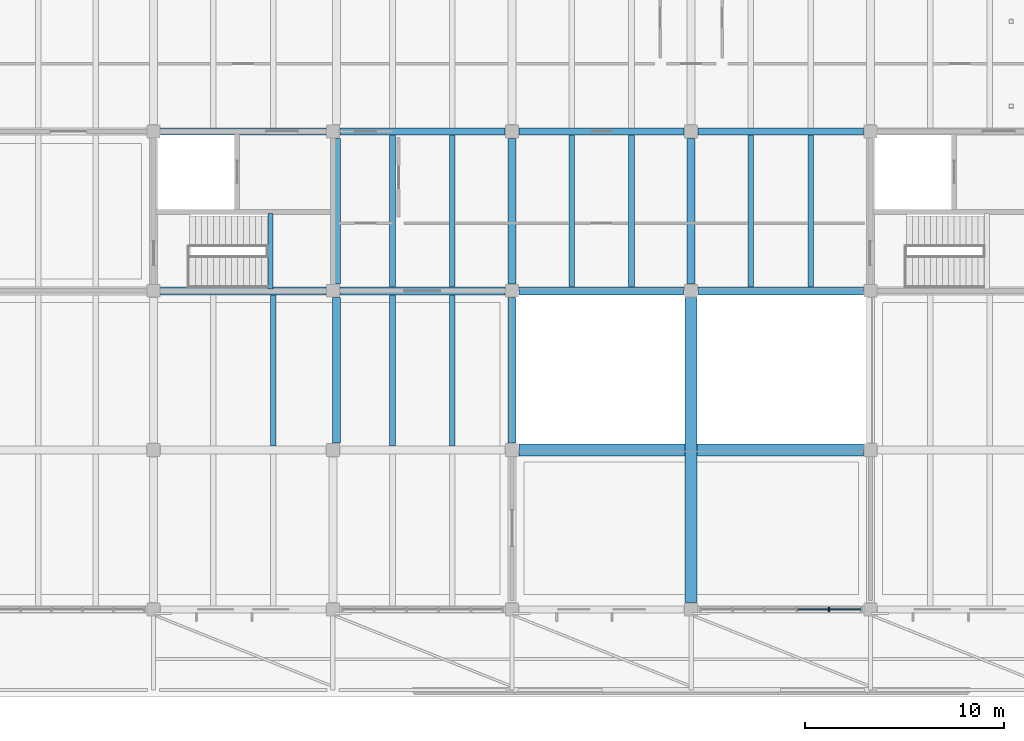
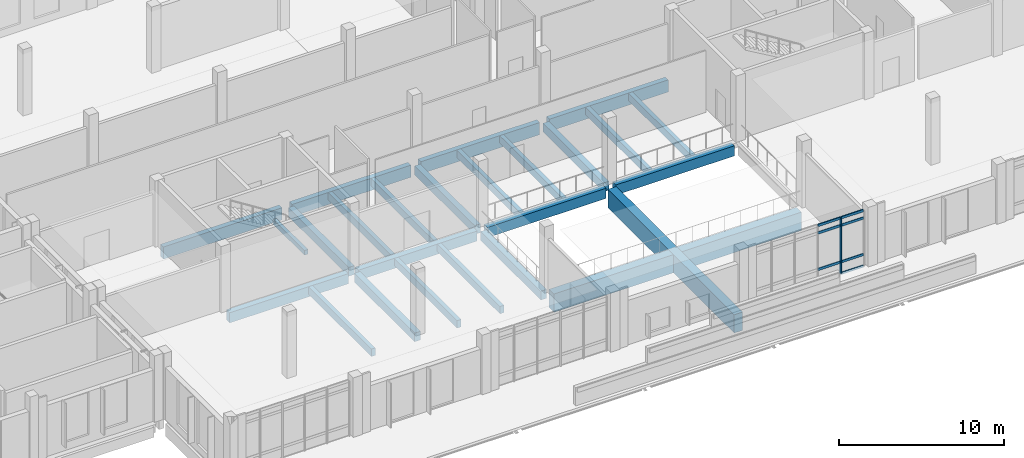
# One storey, part 30 of 110: 25 beams, 8 members, 1 element without a shape of its own.
"""IFC4 building model written with IfcOpenShell, lengths in metres."""

import ifcopenshell
import ifcopenshell.guid

model = None  # the IFC model being written
_history = None  # IfcOwnerHistory: only IFC2X3 demands one
_inside = {}  # id of a spatial element -> (the spatial element, [elements in it])
_under = {}  # id of a project, library or spatial element -> (it, [spatial elements below it])
_declared = {}  # id of a project -> (the project, [libraries it declares])
_typed = {}  # id of a type object -> (the type object, [elements of that type])
_made_of = {}  # id of a material, layer set ... -> (it, [elements and type objects made of it])


def new_model(schema):
    """Start an empty IFC model of exactly this schema.

    Asked for "IFC4X3", IfcOpenShell would pick the latest addendum, in which some entities
    have other attributes; the version numbers below select the first issue.
    IFC2X3 requires an IfcOwnerHistory on every rooted entity: one is made here for all.
    """
    global model, _history
    if schema == "IFC4X3":
        model = ifcopenshell.file(schema_version=(4, 3, 0, 0))
    else:
        model = ifcopenshell.file(schema=schema)
    _inside.clear()
    _under.clear()
    _declared.clear()
    _typed.clear()
    _made_of.clear()
    _history = None
    if model.schema == "IFC2X3":
        org = make("IfcOrganization", Name="unknown")
        user = make(
            "IfcPersonAndOrganization",
            ThePerson=make("IfcPerson", FamilyName="unknown"),
            TheOrganization=org,
        )
        app = make(
            "IfcApplication",
            ApplicationDeveloper=org,
            Version="unknown",
            ApplicationFullName="unknown",
            ApplicationIdentifier="unknown",
        )
        _history = make(
            "IfcOwnerHistory",
            OwningUser=user,
            OwningApplication=app,
            ChangeAction="ADDED",
            CreationDate=0,
        )
    return model


def make(cls, **values):
    """One entity of the class cls with the attributes given. An attribute that is None is left unset."""
    return model.create_entity(
        cls, **{name: value for name, value in values.items() if value is not None}
    )


def rooted(cls, **values):
    """An entity with a GlobalId (a new one), such as an element, a storey or a relation."""
    return make(cls, GlobalId=ifcopenshell.guid.new(), OwnerHistory=_history, **values)


def si_unit(unit_type, name, prefix=None):
    """IfcSIUnit, for example si_unit("LENGTHUNIT", "METRE", prefix="MILLI")."""
    return make("IfcSIUnit", UnitType=unit_type, Prefix=prefix, Name=name)


def assignment(units):
    """IfcUnitAssignment: the units of a project."""
    return None if units is None else make("IfcUnitAssignment", Units=units)


def point(xyz):
    """IfcCartesianPoint."""
    return None if xyz is None else make("IfcCartesianPoint", Coordinates=xyz)


def direction(xyz):
    """IfcDirection."""
    return None if xyz is None else make("IfcDirection", DirectionRatios=xyz)


def frame(location, z_axis=None, x_axis=None):
    """IfcAxis2Placement3D, a coordinate frame: its origin and axes. An axis left out is left unset."""
    return make(
        "IfcAxis2Placement3D",
        Location=point(location),
        Axis=direction(z_axis),
        RefDirection=direction(x_axis),
    )


def frame_2d(location, x_axis=None):
    """IfcAxis2Placement2D, a coordinate frame in the plane: its origin and x axis."""
    return make(
        "IfcAxis2Placement2D", Location=point(location), RefDirection=direction(x_axis)
    )


def origin():
    """The frame at (0, 0, 0) with its axes left unset."""
    return frame((0.0, 0.0, 0.0))


def origin_2d():
    """The frame at (0, 0) in the plane with its x axis left unset."""
    return frame_2d((0.0, 0.0))


def place(relative_to, where):
    """IfcLocalPlacement: puts the frame where relative to a parent placement (None: the world)."""
    return make(
        "IfcLocalPlacement", PlacementRelTo=relative_to, RelativePlacement=where
    )


def context(
    kind, dimensions, precision=None, world=None, true_north=None, identifier=None
):
    """IfcGeometricRepresentationContext, for example the 3D "Model" context."""
    return make(
        "IfcGeometricRepresentationContext",
        ContextIdentifier=identifier,
        ContextType=kind,
        CoordinateSpaceDimension=dimensions,
        Precision=precision,
        WorldCoordinateSystem=world,
        TrueNorth=true_north,
    )


def subcontext(parent, identifier, kind, view, scale=None):
    """IfcGeometricRepresentationSubContext, for example "Body" below "Model"."""
    return make(
        "IfcGeometricRepresentationSubContext",
        ContextIdentifier=identifier,
        ContextType=kind,
        ParentContext=parent,
        TargetScale=scale,
        TargetView=view,
    )


def project(units=None, contexts=None):
    """IfcProject with its units and contexts."""
    return rooted(
        "IfcProject",
        Name="project",
        RepresentationContexts=contexts,
        UnitsInContext=assignment(units),
    )


def spatial(cls, under=None, at=None, **own):
    """A site, building, storey or space (cls), placed at a placement, below another one or the project."""
    s = rooted(cls, ObjectPlacement=at, **own)
    if under is not None:
        _under.setdefault(under.id(), (under, []))[1].append(s)
    return s


def profile(cls, at=None, kind="AREA", **sizes):
    """A parametric profile (cls). Its sizes go by their IFC names, for example OverallWidth=200.0."""
    return make(cls, ProfileType=kind, Position=at, **sizes)


def rectangle(**sizes):
    """IfcRectangleProfileDef."""
    return profile("IfcRectangleProfileDef", **sizes)


def extrude(swept, where, along, depth):
    """IfcExtrudedAreaSolid: the profile swept, set in the frame where, extruded along a direction by depth."""
    return make(
        "IfcExtrudedAreaSolid",
        SweptArea=swept,
        Position=where,
        ExtrudedDirection=direction(along),
        Depth=depth,
    )


def shape(context_of_items, identifier, shape_type, items):
    """IfcShapeRepresentation: the items that make up one representation, for example the "Body"."""
    return make(
        "IfcShapeRepresentation",
        ContextOfItems=context_of_items,
        RepresentationIdentifier=identifier,
        RepresentationType=shape_type,
        Items=items,
    )


def material(Name=None, Category=None):
    """IfcMaterial."""
    return make("IfcMaterial", Name=Name, Category=Category)


def layer(
    of_material, thickness, ventilated=None, Name=None, Category=None, Priority=None
):
    """IfcMaterialLayer: one layer of a wall or slab, of a material (None: an air gap)."""
    return make(
        "IfcMaterialLayer",
        Material=of_material,
        LayerThickness=thickness,
        IsVentilated=ventilated,
        Name=Name,
        Category=Category,
        Priority=Priority,
    )


def layer_set(layers, Name=None):
    """IfcMaterialLayerSet."""
    return make("IfcMaterialLayerSet", MaterialLayers=layers, LayerSetName=Name)


def material_profile(
    of_material, cross_section, Name=None, Category=None, Priority=None
):
    """IfcMaterialProfile: a cross section and its material."""
    return make(
        "IfcMaterialProfile",
        Name=Name,
        Material=of_material,
        Profile=cross_section,
        Priority=Priority,
        Category=Category,
    )


def profile_set(profiles, Name=None, composite=None):
    """IfcMaterialProfileSet."""
    return make(
        "IfcMaterialProfileSet",
        Name=Name,
        MaterialProfiles=profiles,
        CompositeProfile=composite,
    )


def made_of(thing, what):
    """Note that an element or type object is made of a material, layer set ...; save() writes the relation."""
    if what is not None:
        _made_of.setdefault(what.id(), (what, []))[1].append(thing)
    return thing


def type_object(cls, material=None, **own):
    """A type object (cls), such as IfcWallType, which elements share."""
    return made_of(rooted(cls, **own), material)


def element(
    cls,
    number,
    at=None,
    inside=None,
    cuts=None,
    type_object=None,
    material=None,
    context=None,
    identifier="Body",
    shape_type=None,
    held_by="IfcProductDefinitionShape",
    body=None,
    shapes=None,
    **own,
):
    """One element of the class cls, such as IfcWall. Its Tag is "e" and its number.

    at: its placement. inside: the storey or other place that contains it. cuts: it is an
    opening in that element (IfcRelVoidsElement). A single representation is given by context,
    identifier, shape_type and body (its items); several are given by shapes. held_by: the class
    of the entity that holds the representations. save() writes the other relations.
    """
    e = rooted(cls, Tag="e%d" % number, ObjectPlacement=at, **own)
    if body is not None:
        shapes = [shape(context, identifier, shape_type, body)]
    if shapes is not None:
        e.Representation = make(held_by, Representations=shapes)
    if inside is not None:
        _inside.setdefault(inside.id(), (inside, []))[1].append(e)
    if cuts is not None:
        rooted(
            "IfcRelVoidsElement", RelatingBuildingElement=cuts, RelatedOpeningElement=e
        )
    if type_object is not None:
        _typed.setdefault(type_object.id(), (type_object, []))[1].append(e)
    return made_of(e, material)


def aggregate(whole, parts):
    """IfcRelAggregates: a whole, such as a stair, and the parts it consists of."""
    return rooted("IfcRelAggregates", RelatingObject=whole, RelatedObjects=parts)


def save(model, path):
    """Write the relations noted so far, then the file.

    IfcRelAggregates (storeys below a building ...), IfcRelContainedInSpatialStructure (elements
    in a storey), IfcRelDefinesByType, IfcRelAssociatesMaterial and IfcRelDeclares: one each for
    every whole, place, type object, material and project.
    """
    for whole, parts in _under.values():
        aggregate(whole, parts)
    for where, things in _inside.values():
        rooted(
            "IfcRelContainedInSpatialStructure",
            RelatedElements=things,
            RelatingStructure=where,
        )
    for kind, things in _typed.values():
        rooted("IfcRelDefinesByType", RelatedObjects=things, RelatingType=kind)
    for what, things in _made_of.values():
        rooted("IfcRelAssociatesMaterial", RelatedObjects=things, RelatingMaterial=what)
    for by, libraries in _declared.values():
        rooted("IfcRelDeclares", RelatingContext=by, RelatedDefinitions=libraries)
    model.write(path)


model = new_model("IFC4")

# Units and contexts
model_context = context("Model", 3, precision=1e-05, world=origin(), true_north=direction((0.0, 1.0)))
body_context = subcontext(model_context, "Body", "Model", "MODEL_VIEW")
ifc_project = project(units=[si_unit("LENGTHUNIT", "METRE"), si_unit("AREAUNIT", "SQUARE_METRE"), si_unit("VOLUMEUNIT", "CUBIC_METRE"), si_unit("PLANEANGLEUNIT", "RADIAN"), si_unit("MASSUNIT", "GRAM", prefix="KILO")], contexts=[model_context])

# Site, building, storey
site_placement = place(None, origin())
site = spatial("IfcSite", under=ifc_project, at=site_placement, CompositionType="ELEMENT")
building_placement = place(site_placement, origin())
building = spatial("IfcBuilding", under=site, at=building_placement, Name="Zacnel Wholesale Market", CompositionType="ELEMENT")
storey_placement = place(building_placement, frame((0.0, 0.0, 6.300048828125)))
storey = spatial("IfcBuildingStorey", under=building, at=storey_placement, Name="L02", CompositionType="ELEMENT", Elevation=6.300048828125)

# Beams
ifc_material_1 = material(Name="Precast concrete C45/55", Category="concrete")
ifc_material_profile_1 = material_profile(ifc_material_1, rectangle(XDim=0.280029296875, YDim=0.550048828125, at=origin_2d()), Name="DT RIB 280x550")
ifc_profile_set_1 = profile_set([ifc_material_profile_1], Name="Precast concrete C45/55")
beam_type_1 = type_object("IfcBeamType", Name="BM-DT550", PredefinedType="JOIST", material=ifc_profile_set_1)
for number, where, z_axis, x_axis, name in (
    (1, (159.0, 8.199951171875, -0.574951171875), (0.0, 1.0, 0.0), (-1.0, 0.0, 0.0), "Precast secondary joist L02-0044"),
    (2, (165.0, 8.199951171875, -0.574951171875), (0.0, 1.0, 0.0), (-1.0, 0.0, 0.0), "Precast secondary joist L02-0045"),
    (3, (168.0, 8.199951171875, -0.574951171875), (0.0, 1.0, 0.0), (-1.0, 0.0, 0.0), "Precast secondary joist L02-0046"),
):
    element("IfcBeam", number, at=place(storey_placement, frame(where, z_axis=z_axis, x_axis=x_axis)), inside=storey, type_object=beam_type_1, Name=name, PredefinedType="JOIST", context=body_context, shape_type="SweptSolid", body=[
        extrude(rectangle(XDim=0.280029296875, YDim=0.550048828125, at=origin_2d()), origin(), (0.0, 0.0, 1.0), 7.60009765625),
    ])
for number, where, z_axis, x_axis, name in (
    (4, (165.0, 16.199951171875, -0.574951171875), (0.0, 1.0, 0.0), (-1.0, 0.0, 0.0), "Precast secondary joist L02-0075"),
    (5, (168.0, 16.199951171875, -0.574951171875), (0.0, 1.0, 0.0), (-1.0, 0.0, 0.0), "Precast secondary joist L02-0076"),
    (6, (174.0, 16.199951171875, -0.574951171875), (0.0, 1.0, 0.0), (-1.0, 0.0, 0.0), "Precast secondary joist L02-0077"),
    (7, (177.0, 16.199951171875, -0.574951171875), (0.0, 1.0, 0.0), (-1.0, 0.0, 0.0), "Precast secondary joist L02-0078"),
    (8, (183.0, 16.199951171875, -0.574951171875), (0.0, 1.0, 0.0), (-1.0, 0.0, 0.0), "Precast secondary joist L02-0079"),
    (9, (186.0, 16.199951171875, -0.574951171875), (0.0, 1.0, 0.0), (-1.0, 0.0, 0.0), "Precast secondary joist L02-0080"),
):
    element("IfcBeam", number, at=place(storey_placement, frame(where, z_axis=z_axis, x_axis=x_axis)), inside=storey, type_object=beam_type_1, Name=name, PredefinedType="JOIST", context=body_context, shape_type="SweptSolid", body=[
        extrude(rectangle(XDim=0.280029296875, YDim=0.550048828125, at=origin_2d()), origin(), (0.0, 0.0, 1.0), 7.625),
    ])
ifc_material_2 = material(Name="Precast concrete C45/55", Category="concrete")
ifc_material_profile_2 = material_profile(ifc_material_2, rectangle(XDim=0.25, YDim=0.35009765625, at=origin_2d()), Name="LN 250x350")
ifc_profile_set_2 = profile_set([ifc_material_profile_2], Name="Precast concrete C45/55")
beam_type_2 = type_object("IfcBeamType", Name="BM-LN350", PredefinedType="LINTEL", material=ifc_profile_set_2)
beam_1_placement = place(storey_placement, frame((158.860107421875, 16.080078125, 2.074951171875), z_axis=(0.0, 1.0, 0.0), x_axis=(-1.0, 0.0, 0.0)))
element("IfcBeam", 10, at=beam_1_placement, inside=storey, type_object=beam_type_2, Name="Stair ST-02 half-landing bearing beam", PredefinedType="LINTEL", context=body_context, shape_type="SweptSolid", body=[
    extrude(rectangle(XDim=0.25, YDim=0.35009765625, at=origin_2d()), origin(), (0.0, 0.0, 1.0), 3.7900390625),
])
ifc_material_3 = material(Name="Precast concrete C45/55", Category="concrete")
ifc_material_profile_3 = material_profile(ifc_material_3, rectangle(XDim=0.60009765625, YDim=1.35009765625, at=origin_2d()), Name="PG 600x1350")
ifc_profile_set_3 = profile_set([ifc_material_profile_3], Name="Precast concrete C45/55")
beam_type_3 = type_object("IfcBeamType", Name="BM-PG1350", PredefinedType="T_BEAM", material=ifc_profile_set_3)
beam_2_placement = place(storey_placement, frame((171.35009765625, 8.0, -0.97509765625), z_axis=(1.0, 0.0, 0.0), x_axis=(0.0, 1.0, 0.0)))
element("IfcBeam", 11, at=beam_2_placement, inside=storey, type_object=beam_type_3, Name="Precast girder X-0027", PredefinedType="T_BEAM", context=body_context, shape_type="SweptSolid", body=[
    extrude(rectangle(XDim=0.60009765625, YDim=1.35009765625, at=origin_2d()), origin(), (0.0, 0.0, 1.0), 17.2998046875),
])
beam_3_placement = place(storey_placement, frame((180.0, 0.35009765625, -0.97509765625), z_axis=(0.0, 1.0, 0.0), x_axis=(-1.0, 0.0, 0.0)))
element("IfcBeam", 12, at=beam_3_placement, inside=storey, type_object=beam_type_3, Name="Precast girder Y-0502", PredefinedType="T_BEAM", context=body_context, shape_type="SweptSolid", body=[
    extrude(rectangle(XDim=0.60009765625, YDim=1.35009765625, at=origin_2d()), origin(), (0.0, 0.0, 1.0), 15.2998046875),
])
ifc_material_4 = material(Name="Precast concrete C45/55", Category="concrete")
ifc_material_profile_4 = material_profile(ifc_material_4, rectangle(XDim=0.39990234375, YDim=0.64990234375, at=origin_2d()), Name="PG 400x650")
ifc_profile_set_4 = profile_set([ifc_material_profile_4], Name="Precast concrete C45/55")
beam_type_4 = type_object("IfcBeamType", Name="BM-PG650", PredefinedType="BEAM", material=ifc_profile_set_4)
for number, where, z_axis, x_axis, name in (
    (13, (162.179931640625, 8.35009765625, -0.625), (0.0, 1.0, 0.0), (-1.0, 0.0, 0.0), "Precast girder Y-0489"),
    (14, (162.179931640625, 16.35009765625, -0.625), (0.0, 1.0, 0.0), (-1.0, 0.0, 0.0), "Precast girder Y-0490"),
    (15, (171.0, 8.35009765625, -0.625), (0.0, 1.0, 0.0), (-1.0, 0.0, 0.0), "Precast girder Y-0496"),
    (16, (171.0, 16.35009765625, -0.625), (0.0, 1.0, 0.0), (-1.0, 0.0, 0.0), "Precast girder Y-0497"),
    (17, (180.0, 16.35009765625, -0.625), (0.0, 1.0, 0.0), (-1.0, 0.0, 0.0), "Precast girder Y-0503"),
):
    element("IfcBeam", number, at=place(storey_placement, frame(where, z_axis=z_axis, x_axis=x_axis)), inside=storey, type_object=beam_type_4, Name=name, PredefinedType="BEAM", context=body_context, shape_type="SweptSolid", body=[
        extrude(rectangle(XDim=0.39990234375, YDim=0.64990234375, at=origin_2d()), origin(), (0.0, 0.0, 1.0), 7.2998046875),
    ])
ifc_material_5 = material(Name="Precast concrete C45/55", Category="concrete")
ifc_material_profile_5 = material_profile(ifc_material_5, rectangle(XDim=0.39990234375, YDim=0.75, at=origin_2d()), Name="PG 400x750")
ifc_profile_set_5 = profile_set([ifc_material_profile_5], Name="Precast concrete C45/55")
beam_type_5 = type_object("IfcBeamType", Name="BM-PG750", PredefinedType="BEAM", material=ifc_profile_set_5)
for number, where, z_axis, x_axis, name in (
    (18, (153.35009765625, 16.0, -0.675048828125), (1.0, 0.0, 0.0), (0.0, 1.0, 0.0), "Precast girder X-0042"),
    (19, (162.35009765625, 16.0, -0.675048828125), (1.0, 0.0, 0.0), (0.0, 1.0, 0.0), "Precast girder X-0043"),
    (20, (171.35009765625, 16.0, -0.675048828125), (1.0, 0.0, 0.0), (0.0, 1.0, 0.0), "Precast girder X-0044"),
    (21, (180.35009765625, 16.0, -0.675048828125), (1.0, 0.0, 0.0), (0.0, 1.0, 0.0), "Precast girder X-0045"),
):
    element("IfcBeam", number, at=place(storey_placement, frame(where, z_axis=z_axis, x_axis=x_axis)), inside=storey, type_object=beam_type_5, Name=name, PredefinedType="BEAM", context=body_context, shape_type="SweptSolid", body=[
        extrude(rectangle(XDim=0.39990234375, YDim=0.75, at=origin_2d()), origin(), (0.0, 0.0, 1.0), 8.2998046875),
    ])
ifc_material_6 = material(Name="Precast concrete C45/55", Category="concrete")
ifc_material_profile_6 = material_profile(ifc_material_6, rectangle(XDim=0.35009765625, YDim=0.89990234375, at=origin_2d()), Name="SP 350x900")
ifc_profile_set_6 = profile_set([ifc_material_profile_6], Name="Precast concrete C45/55")
beam_type_6 = type_object("IfcBeamType", Name="BM-SP900", PredefinedType="SPANDREL", material=ifc_profile_set_6)
for number, where, z_axis, x_axis, name in (
    (22, (153.35009765625, 24.0, -0.75), (1.0, 0.0, 0.0), (0.0, 1.0, 0.0), "Precast girder X-0066"),
    (23, (162.35009765625, 24.0, -0.75), (1.0, 0.0, 0.0), (0.0, 1.0, 0.0), "Precast girder X-0067"),
    (24, (171.35009765625, 24.0, -0.75), (1.0, 0.0, 0.0), (0.0, 1.0, 0.0), "Precast girder X-0068"),
    (25, (180.35009765625, 24.0, -0.75), (1.0, 0.0, 0.0), (0.0, 1.0, 0.0), "Precast girder X-0069"),
):
    element("IfcBeam", number, at=place(storey_placement, frame(where, z_axis=z_axis, x_axis=x_axis)), inside=storey, type_object=beam_type_6, Name=name, PredefinedType="SPANDREL", context=body_context, shape_type="SweptSolid", body=[
        extrude(rectangle(XDim=0.35009765625, YDim=0.89990234375, at=origin_2d()), origin(), (0.0, 0.0, 1.0), 8.2998046875),
    ])

# Curtain wall, members
ifc_material_7 = material(Name="Anodised aluminium", Category="aluminium")
ifc_layer = layer(ifc_material_7, 0.179931640625)
ifc_layer_set = layer_set([ifc_layer], Name="Anodised aluminium")
curtain_wall_type = type_object("IfcCurtainWallType", Name="CW-BLVD-5400", PredefinedType="NOTDEFINED", material=ifc_layer_set)
curtain_wall_placement = place(storey_placement, origin())
curtain_wall = element("IfcCurtainWall", 26, at=curtain_wall_placement, inside=storey, type_object=curtain_wall_type, Name="Curtain wall ENV-R2-CW-L02-018", PredefinedType="NOTDEFINED")
ifc_material_8 = material(Name="Anodised aluminium", Category="aluminium")
ifc_material_profile_7 = material_profile(ifc_material_8, rectangle(XDim=0.074951171875, YDim=0.219970703125, at=origin_2d()), Name="AW-MULLION 75x220")
ifc_profile_set_7 = profile_set([ifc_material_profile_7], Name="Anodised aluminium")
member_type_1 = type_object("IfcMemberType", Name="CWM-MUL-01", PredefinedType="MULLION", material=ifc_profile_set_7)
member_1_placement = place(storey_placement, frame((186.929931640625, 0.0, 0.449951171875), z_axis=(0.0, 0.0, 1.0), x_axis=(1.0, 0.0, 0.0)))
member_1 = element("IfcMember", 27, at=member_1_placement, type_object=member_type_1, Name="ENV-R2-CW-L02-018 mullion 05", PredefinedType="MULLION", context=body_context, shape_type="SweptSolid", body=[
    extrude(rectangle(XDim=0.074951171875, YDim=0.219970703125, at=origin_2d()), origin(), (0.0, 0.0, 1.0), 4.10009765625),
])
ifc_material_9 = material(Name="Anodised aluminium", Category="aluminium")
ifc_material_profile_8 = material_profile(ifc_material_9, rectangle(XDim=0.074951171875, YDim=0.179931640625, at=origin_2d()), Name="AW-TRANSOM 75x180")
ifc_profile_set_8 = profile_set([ifc_material_profile_8], Name="Anodised aluminium")
member_type_2 = type_object("IfcMemberType", Name="CWM-TRN-01", PredefinedType="USERDEFINED", material=ifc_profile_set_8)
member_2_placement = place(storey_placement, frame((185.344970703125, 0.0, 1.300048828125), z_axis=(1.0, 0.0, 0.0), x_axis=(0.0, 1.0, 0.0)))
member_2 = element("IfcMember", 28, at=member_2_placement, type_object=member_type_2, Name="ENV-R2-CW-L02-018 transom 4-2", ObjectType="TRANSOM", PredefinedType="USERDEFINED", context=body_context, shape_type="SweptSolid", body=[
    extrude(rectangle(XDim=0.074951171875, YDim=0.179931640625, at=origin_2d()), origin(), (0.0, 0.0, 1.0), 1.550048828125),
])
member_3_placement = place(storey_placement, frame((185.344970703125, 0.0, 4.0), z_axis=(1.0, 0.0, 0.0), x_axis=(0.0, 1.0, 0.0)))
member_3 = element("IfcMember", 29, at=member_3_placement, type_object=member_type_2, Name="ENV-R2-CW-L02-018 transom 4-3", ObjectType="TRANSOM", PredefinedType="USERDEFINED", context=body_context, shape_type="SweptSolid", body=[
    extrude(rectangle(XDim=0.074951171875, YDim=0.179931640625, at=origin_2d()), origin(), (0.0, 0.0, 1.0), 1.550048828125),
])
member_4_placement = place(storey_placement, frame((185.344970703125, 0.0, 4.550048828125), z_axis=(1.0, 0.0, 0.0), x_axis=(0.0, 1.0, 0.0)))
member_4 = element("IfcMember", 30, at=member_4_placement, type_object=member_type_2, Name="ENV-R2-CW-L02-018 transom 4-4", ObjectType="TRANSOM", PredefinedType="USERDEFINED", context=body_context, shape_type="SweptSolid", body=[
    extrude(rectangle(XDim=0.074951171875, YDim=0.179931640625, at=origin_2d()), origin(), (0.0, 0.0, 1.0), 1.550048828125),
])
member_5_placement = place(storey_placement, frame((186.965087890625, 0.0, 0.449951171875), z_axis=(1.0, 0.0, 0.0), x_axis=(0.0, 1.0, 0.0)))
member_5 = element("IfcMember", 31, at=member_5_placement, type_object=member_type_2, Name="ENV-R2-CW-L02-018 transom 5-1", ObjectType="TRANSOM", PredefinedType="USERDEFINED", context=body_context, shape_type="SweptSolid", body=[
    extrude(rectangle(XDim=0.074951171875, YDim=0.179931640625, at=origin_2d()), origin(), (0.0, 0.0, 1.0), 1.5498046875),
])
member_6_placement = place(storey_placement, frame((186.965087890625, 0.0, 1.300048828125), z_axis=(1.0, 0.0, 0.0), x_axis=(0.0, 1.0, 0.0)))
member_6 = element("IfcMember", 32, at=member_6_placement, type_object=member_type_2, Name="ENV-R2-CW-L02-018 transom 5-2", ObjectType="TRANSOM", PredefinedType="USERDEFINED", context=body_context, shape_type="SweptSolid", body=[
    extrude(rectangle(XDim=0.074951171875, YDim=0.179931640625, at=origin_2d()), origin(), (0.0, 0.0, 1.0), 1.5498046875),
])
member_7_placement = place(storey_placement, frame((186.965087890625, 0.0, 4.0), z_axis=(1.0, 0.0, 0.0), x_axis=(0.0, 1.0, 0.0)))
member_7 = element("IfcMember", 33, at=member_7_placement, type_object=member_type_2, Name="ENV-R2-CW-L02-018 transom 5-3", ObjectType="TRANSOM", PredefinedType="USERDEFINED", context=body_context, shape_type="SweptSolid", body=[
    extrude(rectangle(XDim=0.074951171875, YDim=0.179931640625, at=origin_2d()), origin(), (0.0, 0.0, 1.0), 1.5498046875),
])
member_8_placement = place(storey_placement, frame((186.965087890625, 0.0, 4.550048828125), z_axis=(1.0, 0.0, 0.0), x_axis=(0.0, 1.0, 0.0)))
member_8 = element("IfcMember", 34, at=member_8_placement, type_object=member_type_2, Name="ENV-R2-CW-L02-018 transom 5-4", ObjectType="TRANSOM", PredefinedType="USERDEFINED", context=body_context, shape_type="SweptSolid", body=[
    extrude(rectangle(XDim=0.074951171875, YDim=0.179931640625, at=origin_2d()), origin(), (0.0, 0.0, 1.0), 1.5498046875),
])
aggregate(curtain_wall, [member_1, member_2, member_3, member_4, member_5, member_6, member_7, member_8])

save(model, "model.ifc")
